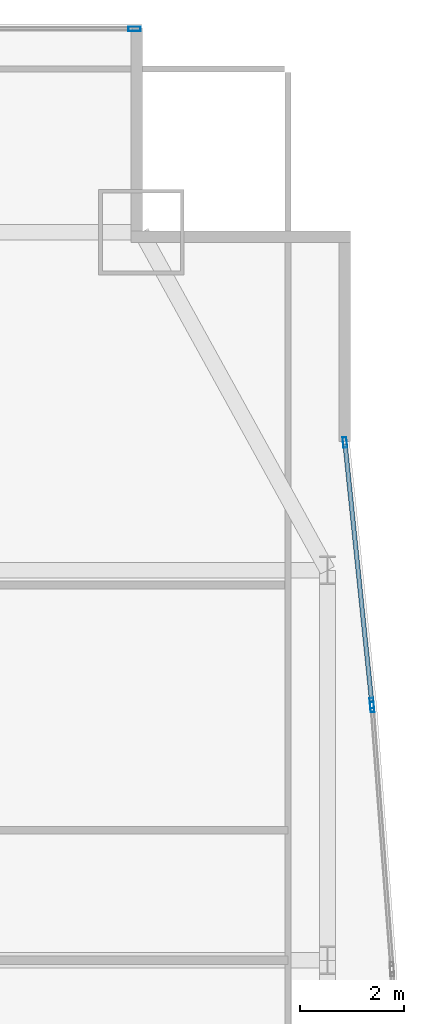
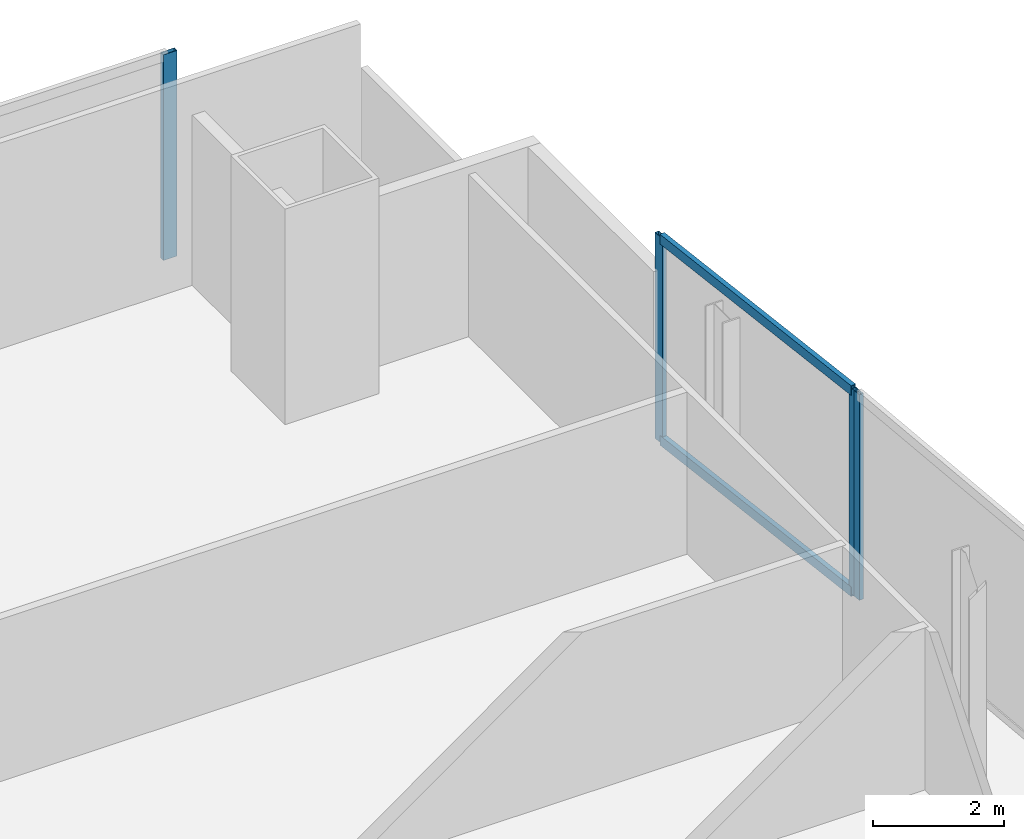
# One storey, part 24 of 33: 6 members, 3 elements without a shape of their own.
"""IFC4 building model written with IfcOpenShell, lengths in metres."""

from ifc_helpers import new_model, si_unit, direction, frame, origin, origin_2d, place, context, subcontext, project, spatial, hollow_rectangle, extrude, material, material_profile, profile_set, type_object, element, aggregate, save


model = new_model("IFC4")

# Units and contexts
model_context = context("Model", 3, precision=1e-05, world=origin(), true_north=direction((0.0, 1.0)))
body_context = subcontext(model_context, "Body", "Model", "MODEL_VIEW")
ifc_project = project(units=[si_unit("LENGTHUNIT", "METRE"), si_unit("AREAUNIT", "SQUARE_METRE"), si_unit("VOLUMEUNIT", "CUBIC_METRE"), si_unit("PLANEANGLEUNIT", "RADIAN"), si_unit("MASSUNIT", "GRAM", prefix="KILO")], contexts=[model_context])

# Site, building, storey
site_placement = place(None, origin())
site = spatial("IfcSite", under=ifc_project, at=site_placement, CompositionType="ELEMENT")
building_placement = place(site_placement, origin())
building = spatial("IfcBuilding", under=site, at=building_placement, Name="Khoronbel Lancet Exchange", CompositionType="ELEMENT")
storey_placement = place(building_placement, frame((0.0, 0.0, 33.800048828125)))
storey = spatial("IfcBuildingStorey", under=building, at=storey_placement, Name="L07", CompositionType="ELEMENT", Elevation=33.800048828125)

# Curtain wall, member
ifc_material_1 = material(Name="Low-E Solar Control Insulating Glass", Category="glass")
curtain_wall_type_1 = type_object("IfcCurtainWallType", Name="CW-1", PredefinedType="NOTDEFINED", material=ifc_material_1)
curtain_wall_1_placement = place(storey_placement, origin())
curtain_wall_1 = element("IfcCurtainWall", 1, at=curtain_wall_1_placement, inside=storey, type_object=curtain_wall_type_1, Name="Unitised curtain wall CW-L07-NEFLK", PredefinedType="NOTDEFINED")
ifc_material_2 = material(Name="Bronze-Anodised Aluminium 6063-T6", Category="aluminium")
ifc_material_profile_1 = material_profile(ifc_material_2, hollow_rectangle(XDim=0.0849609375, YDim=0.239990234375, WallThickness=0.006103515625, at=origin_2d()), Name="ALU MULLION 85x240")
ifc_profile_set_1 = profile_set([ifc_material_profile_1], Name="Bronze-Anodised Aluminium 6063-T6")
member_type_1 = type_object("IfcMemberType", Name="MEM-CWM1", PredefinedType="MULLION", material=ifc_profile_set_1)
member_1_placement = place(storey_placement, frame((67.91748046875, 53.610107421875, 0.0), z_axis=(0.0, 0.0, 1.0), x_axis=(0.0, -1.0, 0.0)))
member_1 = element("IfcMember", 2, at=member_1_placement, type_object=member_type_1, Name="CW1 mullion 1", PredefinedType="MULLION", context=body_context, shape_type="SweptSolid", body=[
    extrude(hollow_rectangle(XDim=0.0849609375, YDim=0.239990234375, WallThickness=0.006103515625, at=origin_2d()), origin(), (0.0, 0.0, 1.0), 3.820068359375),
])
aggregate(curtain_wall_1, [member_1])

# Curtain wall, members
curtain_wall_type_2 = type_object("IfcCurtainWallType", Name="CW-4", PredefinedType="NOTDEFINED", material=ifc_material_1)
curtain_wall_2_placement = place(storey_placement, origin())
curtain_wall_2 = element("IfcCurtainWall", 3, at=curtain_wall_2_placement, inside=storey, type_object=curtain_wall_type_2, Name="Unitised curtain wall CW-L07-E17", PredefinedType="NOTDEFINED")
ifc_material_profile_2 = material_profile(ifc_material_2, hollow_rectangle(XDim=0.074951171875, YDim=0.199951171875, WallThickness=0.0048828125, at=origin_2d()), Name="ALU MULLION 75x200")
ifc_profile_set_2 = profile_set([ifc_material_profile_2], Name="Bronze-Anodised Aluminium 6063-T6")
member_type_2 = type_object("IfcMemberType", Name="MEM-CWM2", PredefinedType="MULLION", material=ifc_profile_set_2)
member_2_placement = place(storey_placement, frame((71.9638671875, 45.658203125, 0.0), z_axis=(0.0, 0.0, 1.0), x_axis=(0.994709998998, 0.102723015403, 0.0)))
member_2 = element("IfcMember", 4, at=member_2_placement, type_object=member_type_2, Name="CW4 mullion 1", PredefinedType="MULLION", context=body_context, shape_type="SweptSolid", body=[
    extrude(hollow_rectangle(XDim=0.074951171875, YDim=0.199951171875, WallThickness=0.0048828125, at=origin_2d()), origin(), (0.0, 0.0, 1.0), 3.820068359375),
])
member_3_placement = place(storey_placement, frame((72.4814453125, 40.64599609375, 0.0), z_axis=(0.0, 0.0, 1.0), x_axis=(0.994709998998, 0.102723015403, 0.0)))
member_3 = element("IfcMember", 5, at=member_3_placement, type_object=member_type_2, Name="CW4 mullion 2", PredefinedType="MULLION", context=body_context, shape_type="SweptSolid", body=[
    extrude(hollow_rectangle(XDim=0.074951171875, YDim=0.199951171875, WallThickness=0.0048828125, at=origin_2d()), origin(), (0.0, 0.0, 1.0), 3.820068359375),
])

# Curtain wall, member
curtain_wall_3_placement = place(storey_placement, origin())
curtain_wall_3 = element("IfcCurtainWall", 6, at=curtain_wall_3_placement, inside=storey, type_object=curtain_wall_type_2, Name="Unitised curtain wall CW-L07-E18", PredefinedType="NOTDEFINED")
member_4_placement = place(storey_placement, frame((72.488037109375, 40.5712890625, 0.0), z_axis=(0.0, 0.0, 1.0), x_axis=(0.997153744129, 0.075395030141, 0.0)))
member_4 = element("IfcMember", 7, at=member_4_placement, type_object=member_type_2, Name="CW4 mullion 1", PredefinedType="MULLION", context=body_context, shape_type="SweptSolid", body=[
    extrude(hollow_rectangle(XDim=0.074951171875, YDim=0.199951171875, WallThickness=0.0048828125, at=origin_2d()), origin(), (0.0, 0.0, 1.0), 3.820068359375),
])
aggregate(curtain_wall_3, [member_4])

# Member
ifc_material_profile_3 = material_profile(ifc_material_2, hollow_rectangle(XDim=0.0849609375, YDim=0.179931640625, WallThickness=0.0048828125, at=origin_2d()), Name="ALU TRANSOM 85x180")
ifc_profile_set_3 = profile_set([ifc_material_profile_3], Name="Bronze-Anodised Aluminium 6063-T6")
member_type_3 = type_object("IfcMemberType", Name="MEM-CWT1", PredefinedType="USERDEFINED", material=ifc_profile_set_3)
member_5_placement = place(storey_placement, frame((71.9677734375, 45.620849609375, 0.04248046875), z_axis=(0.102697780779, -0.994712604637, 0.0), x_axis=(0.994712604637, 0.102697780779, 0.0)))
member_5 = element("IfcMember", 8, at=member_5_placement, type_object=member_type_3, Name="CW4 transom 1.1", ObjectType="TRANSOM", PredefinedType="USERDEFINED", context=body_context, shape_type="SweptSolid", body=[
    extrude(hollow_rectangle(XDim=0.0849609375, YDim=0.179931640625, WallThickness=0.0048828125, at=origin_2d()), origin(), (0.0, 0.0, 1.0), 4.9638671875),
])

member_6_placement = place(storey_placement, frame((71.9677734375, 45.620849609375, 3.77734375), z_axis=(0.102697780779, -0.994712604637, 0.0), x_axis=(0.994712604637, 0.102697780779, 0.0)))
member_6 = element("IfcMember", 9, at=member_6_placement, type_object=member_type_3, Name="CW4 transom 1.2", ObjectType="TRANSOM", PredefinedType="USERDEFINED", context=body_context, shape_type="SweptSolid", body=[
    extrude(hollow_rectangle(XDim=0.0849609375, YDim=0.179931640625, WallThickness=0.0048828125, at=origin_2d()), origin(), (0.0, 0.0, 1.0), 4.9638671875),
])

aggregate(curtain_wall_2, [member_2, member_3, member_5, member_6])

save(model, "model.ifc")
